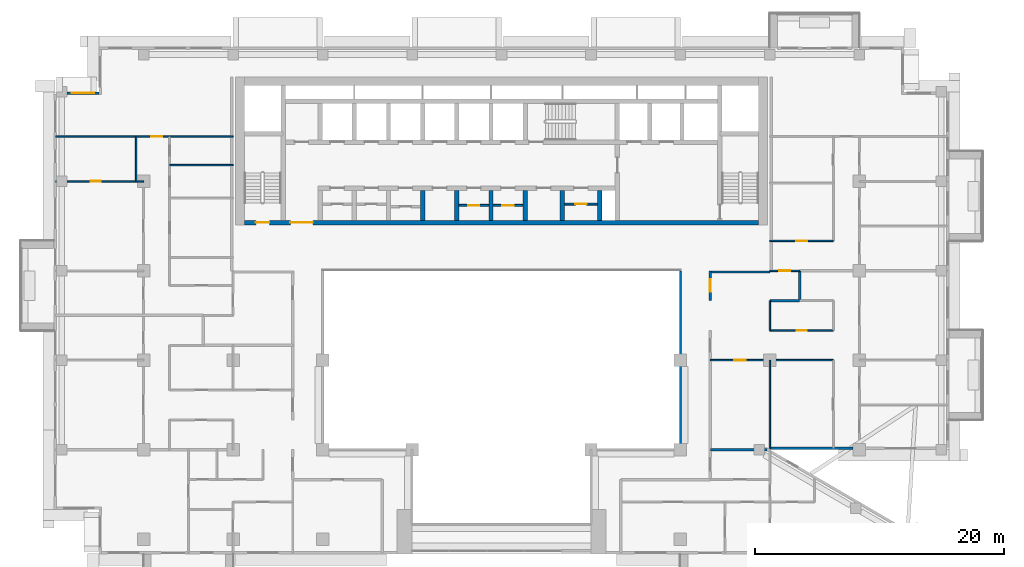
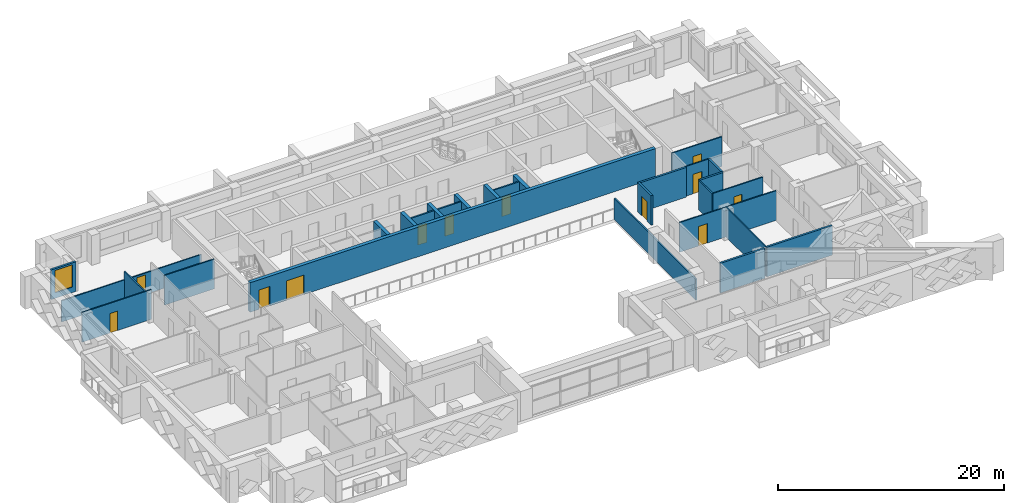
# One storey, part 9 of 19: 28 walls, 12 doors, 1 window, 13 openings.
"""IFC4 building model written with IfcOpenShell, lengths in metres."""

from ifc_helpers import new_model, si_unit, direction, frame, frame_2d, origin, place, context, subcontext, project, spatial, rectangle, extrude, material, layer, layer_set, type_object, element, fill, save


model = new_model("IFC4")

# Units and contexts
model_context = context("Model", 3, precision=1e-05, world=origin(), true_north=direction((0.0, 1.0)))
body_context = subcontext(model_context, "Body", "Model", "MODEL_VIEW")
ifc_project = project(units=[si_unit("LENGTHUNIT", "METRE"), si_unit("AREAUNIT", "SQUARE_METRE"), si_unit("VOLUMEUNIT", "CUBIC_METRE"), si_unit("PLANEANGLEUNIT", "RADIAN"), si_unit("MASSUNIT", "GRAM", prefix="KILO")], contexts=[model_context])

# Site, building, storey
site_placement = place(None, origin())
site = spatial("IfcSite", under=ifc_project, at=site_placement, CompositionType="ELEMENT")
building_placement = place(site_placement, origin())
building = spatial("IfcBuilding", under=site, at=building_placement, Name="Saffron Iwan Residences", CompositionType="ELEMENT")
storey_placement = place(building_placement, frame((0.0, 0.0, 160.5)))
storey = spatial("IfcBuildingStorey", under=building, at=storey_placement, Name="L42", CompositionType="ELEMENT", Elevation=160.5)

# Wall
ifc_material_1 = material(Name="Fire-rated glazing", Category="glass")
ifc_layer_1 = layer(ifc_material_1, 0.14990234375)
ifc_layer_set_1 = layer_set([ifc_layer_1], Name="Fire-rated glazing")
wall_type_1 = type_object("IfcWallType", Name="Atrium glazed screen 150", PredefinedType="SOLIDWALL", material=ifc_layer_set_1)
wall_1_placement = place(storey_placement, frame((64.800048828125, 48.0, 0.0), z_axis=(0.0, 0.0, 1.0), x_axis=(0.0, 1.0, 0.0)))
element("IfcWall", 1, at=wall_1_placement, inside=storey, type_object=wall_type_1, Name="W-L42-SCREEN-v64.8-48", PredefinedType="SOLIDWALL", context=body_context, shape_type="SweptSolid", body=[
    extrude(rectangle(XDim=14.39990234375, YDim=0.14990234375, at=frame_2d((7.199951171875, 0.0))), origin(), (0.0, 0.0, 1.0), 2.300048828125),
])

# Wall, opening, door
ifc_material_2 = material(Name="Fire-rated plasterboard partition")
ifc_layer_2 = layer(ifc_material_2, 0.14990234375)
ifc_layer_set_2 = layer_set([ifc_layer_2], Name="Fire-rated plasterboard partition")
wall_type_2 = type_object("IfcWallType", Name="Core partition 150", PredefinedType="PARTITIONING", material=ifc_layer_set_2)
wall_2_placement = place(storey_placement, frame((46.97509765625, 67.66259765625, 0.0), z_axis=(0.0, 0.0, 1.0), x_axis=(1.0, 0.0, 0.0)))
wall_2 = element("IfcWall", 2, at=wall_2_placement, inside=storey, type_object=wall_type_2, Name="Core partition P04", PredefinedType="PARTITIONING", context=body_context, shape_type="SweptSolid", body=[
    extrude(rectangle(XDim=2.39990234375, YDim=0.14990234375, at=frame_2d((1.199951171875, 0.0))), origin(), (0.0, 0.0, 1.0), 3.199951171875),
])
opening_1_placement = place(wall_2_placement, frame((0.75, 0.0, 0.0)))
opening_1 = element("IfcOpeningElement", 3, at=opening_1_placement, cuts=wall_2, Name="Opening SB", PredefinedType="OPENING", context=body_context, shape_type="SweptSolid", body=[
    extrude(rectangle(XDim=0.89990234375, YDim=2.10009765625, at=frame_2d((0.449951171875, 1.050048828125))), frame((0.0, 0.0849609375, 0.0), z_axis=(0.0, -1.0, 0.0), x_axis=(1.0, 0.0, 0.0)), (0.0, 0.0, 1.0), 0.169921875),
])
ifc_material_3 = material(Name="Steel fire door", Category="steel")
door_type_1 = type_object("IfcDoorType", Name="Store door 900", OperationType="NOTDEFINED", PredefinedType="DOOR", material=ifc_material_3)
door_1_placement = place(opening_1_placement, origin())
door_1 = element("IfcDoor", 4, at=door_1_placement, inside=storey, type_object=door_type_1, Name="Door Spares store", OperationType="SINGLE_SWING_RIGHT", OverallHeight=2.10009765625, OverallWidth=0.89990234375, PredefinedType="DOOR", context=body_context, shape_type="SweptSolid", body=[
    extrude(rectangle(XDim=0.89990234375, YDim=2.10009765625, at=frame_2d((0.449951171875, 1.050048828125))), frame((0.0, 0.02490234375, 0.0), z_axis=(0.0, -1.0, 0.0), x_axis=(1.0, 0.0, 0.0)), (0.0, 0.0, 1.0), 0.050048828125),
])
fill(opening_1, door_1)

wall_3_placement = place(storey_placement, frame((49.72509765625, 67.66259765625, 0.0), z_axis=(0.0, 0.0, 1.0), x_axis=(1.0, 0.0, 0.0)))
wall_3 = element("IfcWall", 5, at=wall_3_placement, inside=storey, type_object=wall_type_2, Name="Core partition P05", PredefinedType="PARTITIONING", context=body_context, shape_type="SweptSolid", body=[
    extrude(rectangle(XDim=2.39990234375, YDim=0.14990234375, at=frame_2d((1.199951171875, 0.0))), origin(), (0.0, 0.0, 1.0), 3.199951171875),
])
opening_2_placement = place(wall_3_placement, frame((0.75, 0.0, 0.0)))
opening_2 = element("IfcOpeningElement", 6, at=opening_2_placement, cuts=wall_3, Name="Opening SB", PredefinedType="OPENING", context=body_context, shape_type="SweptSolid", body=[
    extrude(rectangle(XDim=0.89990234375, YDim=2.10009765625, at=frame_2d((0.449951171875, 1.050048828125))), frame((0.0, 0.0849609375, 0.0), z_axis=(0.0, -1.0, 0.0), x_axis=(1.0, 0.0, 0.0)), (0.0, 0.0, 1.0), 0.169921875),
])
door_2_placement = place(opening_2_placement, origin())
door_2 = element("IfcDoor", 7, at=door_2_placement, inside=storey, type_object=door_type_1, Name="Door Battery room", OperationType="SINGLE_SWING_LEFT", OverallHeight=2.10009765625, OverallWidth=0.89990234375, PredefinedType="DOOR", context=body_context, shape_type="SweptSolid", body=[
    extrude(rectangle(XDim=0.89990234375, YDim=2.10009765625, at=frame_2d((0.449951171875, 1.050048828125))), frame((0.0, 0.02490234375, 0.0), z_axis=(0.0, -1.0, 0.0), x_axis=(1.0, 0.0, 0.0)), (0.0, 0.0, 1.0), 0.050048828125),
])
fill(opening_2, door_2)

wall_4_placement = place(storey_placement, frame((55.47509765625, 67.759521484375, 0.0), z_axis=(0.0, 0.0, 1.0), x_axis=(1.0, 0.0, 0.0)))
wall_4 = element("IfcWall", 8, at=wall_4_placement, inside=storey, type_object=wall_type_2, Name="Core partition P06", PredefinedType="PARTITIONING", context=body_context, shape_type="SweptSolid", body=[
    extrude(rectangle(XDim=2.64990234375, YDim=0.14990234375, at=frame_2d((1.324951171875, 0.0))), origin(), (0.0, 0.0, 1.0), 3.199951171875),
])
opening_3_placement = place(wall_4_placement, frame((0.875, 0.0, 0.0)))
opening_3 = element("IfcOpeningElement", 9, at=opening_3_placement, cuts=wall_4, Name="Opening SB", PredefinedType="OPENING", context=body_context, shape_type="SweptSolid", body=[
    extrude(rectangle(XDim=0.89990234375, YDim=2.10009765625, at=frame_2d((0.449951171875, 1.050048828125))), frame((0.0, 0.0849609375, 0.0), z_axis=(0.0, -1.0, 0.0), x_axis=(1.0, 0.0, 0.0)), (0.0, 0.0, 1.0), 0.169921875),
])
door_3_placement = place(opening_3_placement, origin())
door_3 = element("IfcDoor", 10, at=door_3_placement, inside=storey, type_object=door_type_1, Name="Door Equipment store", OperationType="SINGLE_SWING_LEFT", OverallHeight=2.10009765625, OverallWidth=0.89990234375, PredefinedType="DOOR", context=body_context, shape_type="SweptSolid", body=[
    extrude(rectangle(XDim=0.89990234375, YDim=2.10009765625, at=frame_2d((0.449951171875, 1.050048828125))), frame((0.0, 0.02490234375, 0.0), z_axis=(0.0, -1.0, 0.0), x_axis=(1.0, 0.0, 0.0)), (0.0, 0.0, 1.0), 0.050048828125),
])
fill(opening_3, door_3)

# Wall
ifc_material_4 = material(Name="Concrete C40/50", Category="concrete")
ifc_layer_3 = layer(ifc_material_4, 0.199951171875)
ifc_layer_set_3 = layer_set([ifc_layer_3], Name="Concrete C40/50")
wall_type_3 = type_object("IfcWallType", Name="EXTERNAL WALL 200", PredefinedType="SOLIDWALL", material=ifc_layer_set_3)
wall_5_placement = place(storey_placement, frame((71.989990234375, 48.10009765625, 0.0), z_axis=(0.0, 0.0, 1.0), x_axis=(1.0, 0.0, 0.0)))
element("IfcWall", 11, at=wall_5_placement, inside=storey, type_object=wall_type_3, Name="External wall L42 F1.0", PredefinedType="SOLIDWALL", context=body_context, shape_type="SweptSolid", body=[
    extrude(rectangle(XDim=6.7099609375, YDim=0.199951171875, at=frame_2d((3.35498046875, 0.0))), origin(), (0.0, 0.0, 1.0), 3.199951171875),
])

# Wall, opening, window
wall_6_placement = place(storey_placement, frame((18.0, 76.699951171875, 0.0), z_axis=(0.0, 0.0, 1.0), x_axis=(-1.0, 0.0, 0.0)))
wall_6 = element("IfcWall", 12, at=wall_6_placement, inside=storey, type_object=wall_type_3, Name="External wall L42 F7.0", PredefinedType="SOLIDWALL", context=body_context, shape_type="SweptSolid", body=[
    extrude(rectangle(XDim=2.574951171875, YDim=0.199951171875, at=frame_2d((1.28759765625, 0.0))), origin(), (0.0, 0.0, 1.0), 3.199951171875),
])
opening_4_placement = place(wall_6_placement, frame((0.387451171875, 0.0, 0.60009765625)))
opening_4 = element("IfcOpeningElement", 13, at=opening_4_placement, cuts=wall_6, Name="Opening W8", PredefinedType="OPENING", context=body_context, shape_type="SweptSolid", body=[
    extrude(rectangle(XDim=1.800048828125, YDim=2.39990234375, at=frame_2d((0.89990234375, 1.199951171875))), frame((0.0, 0.10986328125, 0.0), z_axis=(0.0, -1.0, 0.0), x_axis=(1.0, 0.0, 0.0)), (0.0, 0.0, 1.0), 0.219970703125),
])
ifc_material_5 = material(Name="Clear glass, laminated double glazed", Category="glass")
window_type = type_object("IfcWindowType", Name="WINDOW 1800 x 2400", PartitioningType="DOUBLE_PANEL_VERTICAL", PredefinedType="WINDOW", material=ifc_material_5)
window_placement = place(opening_4_placement, origin())
window = element("IfcWindow", 14, at=window_placement, inside=storey, type_object=window_type, Name="Window L42 F7.0", OverallHeight=2.39990234375, OverallWidth=1.800048828125, PartitioningType="DOUBLE_PANEL_VERTICAL", PredefinedType="WINDOW", context=body_context, shape_type="SweptSolid", body=[
    extrude(rectangle(XDim=1.800048828125, YDim=2.39990234375, at=frame_2d((0.89990234375, 1.199951171875))), frame((0.0, 0.030029296875, 0.0), z_axis=(0.0, -1.0, 0.0), x_axis=(1.0, 0.0, 0.0)), (0.0, 0.0, 1.0), 0.06005859375),
])
fill(opening_4, window)

# Walls
ifc_material_6 = material(Name="Fire-rated gypsum board wall")
ifc_layer_4 = layer(ifc_material_6, 0.199951171875)
ifc_layer_set_4 = layer_set([ifc_layer_4], Name="Fire-rated gypsum board wall")
wall_type_4 = type_object("IfcWallType", Name="Flat demising wall 200", PredefinedType="SOLIDWALL", material=ifc_layer_set_4)
wall_7_placement = place(storey_placement, frame((67.199951171875, 48.0, 0.0), z_axis=(0.0, 0.0, 1.0), x_axis=(1.0, 0.0, 0.0)))
element("IfcWall", 15, at=wall_7_placement, inside=storey, type_object=wall_type_4, Name="W-L42-DEMISE-h48-67.2", PredefinedType="SOLIDWALL", context=body_context, shape_type="SweptSolid", body=[
    extrude(rectangle(XDim=4.552001953125, YDim=0.199951171875, at=frame_2d((2.27587890625, 0.0))), origin(), (0.0, 0.0, 1.0), 3.199951171875),
])
for number, where, z_axis, x_axis, name in (
    (16, (72.0, 60.0, 0.0), (0.0, 0.0, 1.0), (1.0, 0.0, 0.0), "W-L42-DEMISE-h60-72"),
    (17, (74.39990234375, 60.0, 0.0), (0.0, 0.0, 1.0), (0.0, 1.0, 0.0), "W-L42-DEMISE-v74.4-60"),
):
    element("IfcWall", number, at=place(storey_placement, frame(where, z_axis=z_axis, x_axis=x_axis)), inside=storey, type_object=wall_type_4, Name=name, PredefinedType="SOLIDWALL", context=body_context, shape_type="SweptSolid", body=[
        extrude(rectangle(XDim=2.39990234375, YDim=0.199951171875, at=frame_2d((1.199951171875, 0.0))), origin(), (0.0, 0.0, 1.0), 3.199951171875),
    ])

# Wall, opening, door
ifc_material_7 = material(Name="Gypsum board partition")
ifc_layer_5 = layer(ifc_material_7, 0.1201171875)
ifc_layer_set_5 = layer_set([ifc_layer_5], Name="Gypsum board partition")
wall_type_5 = type_object("IfcWallType", Name="Flat partition 120", PredefinedType="PARTITIONING", material=ifc_layer_set_5)
wall_8_placement = place(storey_placement, frame((67.199951171875, 55.199951171875, 0.0), z_axis=(0.0, 0.0, 1.0), x_axis=(1.0, 0.0, 0.0)))
wall_8 = element("IfcWall", 18, at=wall_8_placement, inside=storey, type_object=wall_type_5, Name="W-L42-PART-h55.2-67.2", PredefinedType="PARTITIONING", context=body_context, shape_type="SweptSolid", body=[
    extrude(rectangle(XDim=9.900146484375, YDim=0.1201171875, at=frame_2d((4.9501953125, 0.0))), origin(), (0.0, 0.0, 1.0), 3.199951171875),
])
opening_5_placement = place(wall_8_placement, frame((1.949951171875, 0.0, 0.0)))
opening_5 = element("IfcOpeningElement", 19, at=opening_5_placement, cuts=wall_8, Name="Opening FD2", PredefinedType="OPENING", context=body_context, shape_type="SweptSolid", body=[
    extrude(rectangle(XDim=0.89990234375, YDim=2.10009765625, at=frame_2d((0.449951171875, 1.050048828125))), frame((0.0, 0.070068359375, 0.0), z_axis=(0.0, -1.0, 0.0), x_axis=(1.0, 0.0, 0.0)), (0.0, 0.0, 1.0), 0.14013671875),
])
ifc_material_8 = material(Name="Timber door", Category="wood")
door_type_2 = type_object("IfcDoorType", Name="Flat door 900", OperationType="NOTDEFINED", PredefinedType="DOOR", material=ifc_material_8)
door_4_placement = place(opening_5_placement, origin())
door_4 = element("IfcDoor", 20, at=door_4_placement, inside=storey, type_object=door_type_2, Name="Door L42-020", OperationType="SINGLE_SWING_LEFT", OverallHeight=2.10009765625, OverallWidth=0.89990234375, PredefinedType="DOOR", context=body_context, shape_type="SweptSolid", body=[
    extrude(rectangle(XDim=0.89990234375, YDim=2.10009765625, at=frame_2d((0.449951171875, 1.050048828125))), frame((0.0, 0.02490234375, 0.0), z_axis=(0.0, -1.0, 0.0), x_axis=(1.0, 0.0, 0.0)), (0.0, 0.0, 1.0), 0.050048828125),
])
fill(opening_5, door_4)

wall_9_placement = place(storey_placement, frame((72.0, 57.60009765625, 0.0), z_axis=(0.0, 0.0, 1.0), x_axis=(1.0, 0.0, 0.0)))
wall_9 = element("IfcWall", 21, at=wall_9_placement, inside=storey, type_object=wall_type_5, Name="W-L42-PART-h57.6-72", PredefinedType="PARTITIONING", context=body_context, shape_type="SweptSolid", body=[
    extrude(rectangle(XDim=5.10009765625, YDim=0.1201171875, at=frame_2d((2.550048828125, 0.0))), origin(), (0.0, 0.0, 1.0), 3.199951171875),
])
opening_6_placement = place(wall_9_placement, frame((2.14990234375, 0.0, 0.0)))
opening_6 = element("IfcOpeningElement", 22, at=opening_6_placement, cuts=wall_9, Name="Opening FD3", PredefinedType="OPENING", context=body_context, shape_type="SweptSolid", body=[
    extrude(rectangle(XDim=0.800048828125, YDim=2.10009765625, at=frame_2d((0.39990234375, 1.050048828125))), frame((0.0, 0.070068359375, 0.0), z_axis=(0.0, -1.0, 0.0), x_axis=(1.0, 0.0, 0.0)), (0.0, 0.0, 1.0), 0.14013671875),
])
door_type_3 = type_object("IfcDoorType", Name="Bathroom door 800", OperationType="NOTDEFINED", PredefinedType="DOOR", material=ifc_material_8)
door_5_placement = place(opening_6_placement, origin())
door_5 = element("IfcDoor", 23, at=door_5_placement, inside=storey, type_object=door_type_3, Name="Door L42-019", OperationType="SINGLE_SWING_RIGHT", OverallHeight=2.10009765625, OverallWidth=0.800048828125, PredefinedType="DOOR", context=body_context, shape_type="SweptSolid", body=[
    extrude(rectangle(XDim=0.800048828125, YDim=2.10009765625, at=frame_2d((0.39990234375, 1.050048828125))), frame((0.0, 0.02490234375, 0.0), z_axis=(0.0, -1.0, 0.0), x_axis=(1.0, 0.0, 0.0)), (0.0, 0.0, 1.0), 0.050048828125),
])
fill(opening_6, door_5)

wall_10_placement = place(storey_placement, frame((72.0, 62.39990234375, 0.0), z_axis=(0.0, 0.0, 1.0), x_axis=(1.0, 0.0, 0.0)))
wall_10 = element("IfcWall", 24, at=wall_10_placement, inside=storey, type_object=wall_type_5, Name="W-L42-PART-h62.4-72", PredefinedType="PARTITIONING", context=body_context, shape_type="SweptSolid", body=[
    extrude(rectangle(XDim=2.39990234375, YDim=0.1201171875, at=frame_2d((1.199951171875, 0.0))), origin(), (0.0, 0.0, 1.0), 3.199951171875),
])
opening_7_placement = place(wall_10_placement, frame((0.75, 0.0, 0.0)))
opening_7 = element("IfcOpeningElement", 25, at=opening_7_placement, cuts=wall_10, Name="Opening FD2", PredefinedType="OPENING", context=body_context, shape_type="SweptSolid", body=[
    extrude(rectangle(XDim=0.89990234375, YDim=2.10009765625, at=frame_2d((0.449951171875, 1.050048828125))), frame((0.0, 0.070068359375, 0.0), z_axis=(0.0, -1.0, 0.0), x_axis=(1.0, 0.0, 0.0)), (0.0, 0.0, 1.0), 0.14013671875),
])
door_6_placement = place(opening_7_placement, origin())
door_6 = element("IfcDoor", 26, at=door_6_placement, inside=storey, type_object=door_type_2, Name="Door L42-031", OperationType="SINGLE_SWING_RIGHT", OverallHeight=2.10009765625, OverallWidth=0.89990234375, PredefinedType="DOOR", context=body_context, shape_type="SweptSolid", body=[
    extrude(rectangle(XDim=0.89990234375, YDim=2.10009765625, at=frame_2d((0.449951171875, 1.050048828125))), frame((0.0, 0.02490234375, 0.0), z_axis=(0.0, -1.0, 0.0), x_axis=(1.0, 0.0, 0.0)), (0.0, 0.0, 1.0), 0.050048828125),
])
fill(opening_7, door_6)

wall_11_placement = place(storey_placement, frame((72.0, 64.800048828125, 0.0), z_axis=(0.0, 0.0, 1.0), x_axis=(1.0, 0.0, 0.0)))
wall_11 = element("IfcWall", 27, at=wall_11_placement, inside=storey, type_object=wall_type_5, Name="W-L42-PART-h64.8-72", PredefinedType="PARTITIONING", context=body_context, shape_type="SweptSolid", body=[
    extrude(rectangle(XDim=5.10009765625, YDim=0.1201171875, at=frame_2d((2.550048828125, 0.0))), origin(), (0.0, 0.0, 1.0), 3.199951171875),
])
opening_8_placement = place(wall_11_placement, frame((2.10009765625, 0.0, 0.0)))
opening_8 = element("IfcOpeningElement", 28, at=opening_8_placement, cuts=wall_11, Name="Opening FD2", PredefinedType="OPENING", context=body_context, shape_type="SweptSolid", body=[
    extrude(rectangle(XDim=0.89990234375, YDim=2.10009765625, at=frame_2d((0.449951171875, 1.050048828125))), frame((0.0, 0.070068359375, 0.0), z_axis=(0.0, -1.0, 0.0), x_axis=(1.0, 0.0, 0.0)), (0.0, 0.0, 1.0), 0.14013671875),
])
door_7_placement = place(opening_8_placement, origin())
door_7 = element("IfcDoor", 29, at=door_7_placement, inside=storey, type_object=door_type_2, Name="Door L42-037", OperationType="SINGLE_SWING_RIGHT", OverallHeight=2.10009765625, OverallWidth=0.89990234375, PredefinedType="DOOR", context=body_context, shape_type="SweptSolid", body=[
    extrude(rectangle(XDim=0.89990234375, YDim=2.10009765625, at=frame_2d((0.449951171875, 1.050048828125))), frame((0.0, 0.02490234375, 0.0), z_axis=(0.0, -1.0, 0.0), x_axis=(1.0, 0.0, 0.0)), (0.0, 0.0, 1.0), 0.050048828125),
])
fill(opening_8, door_7)

wall_12_placement = place(storey_placement, frame((14.52490234375, 69.60009765625, 0.0), z_axis=(0.0, 0.0, 1.0), x_axis=(1.0, 0.0, 0.0)))
wall_12 = element("IfcWall", 30, at=wall_12_placement, inside=storey, type_object=wall_type_5, Name="W-L42-PART-h69.6-14.525", PredefinedType="PARTITIONING", context=body_context, shape_type="SweptSolid", body=[
    extrude(rectangle(XDim=7.0751953125, YDim=0.1201171875, at=frame_2d((3.53759765625, 0.0))), origin(), (0.0, 0.0, 1.0), 3.199951171875),
])
opening_9_placement = place(wall_12_placement, frame((2.83740234375, 0.0, 0.0)))
opening_9 = element("IfcOpeningElement", 31, at=opening_9_placement, cuts=wall_12, Name="Opening FD3", PredefinedType="OPENING", context=body_context, shape_type="SweptSolid", body=[
    extrude(rectangle(XDim=0.800048828125, YDim=2.10009765625, at=frame_2d((0.39990234375, 1.050048828125))), frame((0.0, 0.070068359375, 0.0), z_axis=(0.0, -1.0, 0.0), x_axis=(1.0, 0.0, 0.0)), (0.0, 0.0, 1.0), 0.14013671875),
])
door_8_placement = place(opening_9_placement, origin())
door_8 = element("IfcDoor", 32, at=door_8_placement, inside=storey, type_object=door_type_3, Name="Door L42-025", OperationType="SINGLE_SWING_RIGHT", OverallHeight=2.10009765625, OverallWidth=0.800048828125, PredefinedType="DOOR", context=body_context, shape_type="SweptSolid", body=[
    extrude(rectangle(XDim=0.800048828125, YDim=2.10009765625, at=frame_2d((0.39990234375, 1.050048828125))), frame((0.0, 0.02490234375, 0.0), z_axis=(0.0, -1.0, 0.0), x_axis=(1.0, 0.0, 0.0)), (0.0, 0.0, 1.0), 0.050048828125),
])
fill(opening_9, door_8)

# Wall
wall_13_placement = place(storey_placement, frame((23.699951171875, 70.89990234375, 0.0), z_axis=(0.0, 0.0, 1.0), x_axis=(1.0, 0.0, 0.0)))
element("IfcWall", 33, at=wall_13_placement, inside=storey, type_object=wall_type_5, Name="W-L42-PART-h70.9-23.7", PredefinedType="PARTITIONING", context=body_context, shape_type="SweptSolid", body=[
    extrude(rectangle(XDim=5.10009765625, YDim=0.1201171875, at=frame_2d((2.550048828125, 0.0))), origin(), (0.0, 0.0, 1.0), 3.199951171875),
])

# Wall, opening, door
wall_14_placement = place(storey_placement, frame((14.52490234375, 73.199951171875, 0.0), z_axis=(0.0, 0.0, 1.0), x_axis=(1.0, 0.0, 0.0)))
wall_14 = element("IfcWall", 34, at=wall_14_placement, inside=storey, type_object=wall_type_5, Name="W-L42-PART-h73.2-14.525", PredefinedType="PARTITIONING", context=body_context, shape_type="SweptSolid", body=[
    extrude(rectangle(XDim=14.275146484375, YDim=0.1201171875, at=frame_2d((7.1376953125, 0.0))), origin(), (0.0, 0.0, 1.0), 2.300048828125),
])
opening_10_placement = place(wall_14_placement, frame((7.675048828125, 0.0, 0.0)))
opening_10 = element("IfcOpeningElement", 35, at=opening_10_placement, cuts=wall_14, Name="Opening FD2", PredefinedType="OPENING", context=body_context, shape_type="SweptSolid", body=[
    extrude(rectangle(XDim=0.89990234375, YDim=2.10009765625, at=frame_2d((0.449951171875, 1.050048828125))), frame((0.0, 0.070068359375, 0.0), z_axis=(0.0, -1.0, 0.0), x_axis=(1.0, 0.0, 0.0)), (0.0, 0.0, 1.0), 0.14013671875),
])
door_9_placement = place(opening_10_placement, origin())
door_9 = element("IfcDoor", 36, at=door_9_placement, inside=storey, type_object=door_type_2, Name="Door L42-026", OperationType="SINGLE_SWING_LEFT", OverallHeight=2.10009765625, OverallWidth=0.89990234375, PredefinedType="DOOR", context=body_context, shape_type="SweptSolid", body=[
    extrude(rectangle(XDim=0.89990234375, YDim=2.10009765625, at=frame_2d((0.449951171875, 1.050048828125))), frame((0.0, 0.02490234375, 0.0), z_axis=(0.0, -1.0, 0.0), x_axis=(1.0, 0.0, 0.0)), (0.0, 0.0, 1.0), 0.050048828125),
])
fill(opening_10, door_9)

# Walls
wall_15_placement = place(storey_placement, frame((21.0, 69.60009765625, 0.0), z_axis=(0.0, 0.0, 1.0), x_axis=(0.0, 1.0, 0.0)))
element("IfcWall", 37, at=wall_15_placement, inside=storey, type_object=wall_type_5, Name="W-L42-PART-v21-69.6", PredefinedType="PARTITIONING", context=body_context, shape_type="SweptSolid", body=[
    extrude(rectangle(XDim=3.599853515625, YDim=0.1201171875, at=frame_2d((1.7998046875, 0.0))), origin(), (0.0, 0.0, 1.0), 3.199951171875),
])
wall_16_placement = place(storey_placement, frame((72.0, 48.125, 0.0), z_axis=(0.0, 0.0, 1.0), x_axis=(0.0, 1.0, 0.0)))
element("IfcWall", 38, at=wall_16_placement, inside=storey, type_object=wall_type_5, Name="W-L42-PART-v72-48.125", PredefinedType="PARTITIONING", context=body_context, shape_type="SweptSolid", body=[
    extrude(rectangle(XDim=7.074951171875, YDim=0.1201171875, at=frame_2d((3.53759765625, 0.0))), origin(), (0.0, 0.0, 1.0), 3.199951171875),
])
wall_17_placement = place(storey_placement, frame((72.0, 57.60009765625, 0.0), z_axis=(0.0, 0.0, 1.0), x_axis=(0.0, 1.0, 0.0)))
element("IfcWall", 39, at=wall_17_placement, inside=storey, type_object=wall_type_5, Name="W-L42-PART-v72-57.6", PredefinedType="PARTITIONING", context=body_context, shape_type="SweptSolid", body=[
    extrude(rectangle(XDim=2.39990234375, YDim=0.1201171875, at=frame_2d((1.199951171875, 0.0))), origin(), (0.0, 0.0, 1.0), 3.199951171875),
])
ifc_layer_6 = layer(ifc_material_6, 0.199951171875)
ifc_layer_set_6 = layer_set([ifc_layer_6], Name="Fire-rated gypsum board wall")
wall_type_6 = type_object("IfcWallType", Name="Gallery wall 200", PredefinedType="SOLIDWALL", material=ifc_layer_set_6)
wall_18_placement = place(storey_placement, frame((67.199951171875, 62.300048828125, 0.0), z_axis=(0.0, 0.0, 1.0), x_axis=(1.0, 0.0, 0.0)))
element("IfcWall", 40, at=wall_18_placement, inside=storey, type_object=wall_type_6, Name="W-L42-CORR-h62.4-67.2", PredefinedType="SOLIDWALL", context=body_context, shape_type="SweptSolid", body=[
    extrude(rectangle(XDim=4.800048828125, YDim=0.199951171875, at=frame_2d((2.39990234375, 0.0))), origin(), (0.0, 0.0, 1.0), 3.199951171875),
])

# Wall, opening, door
wall_19_placement = place(storey_placement, frame((67.199951171875, 60.0, 0.0), z_axis=(0.0, 0.0, 1.0), x_axis=(0.0, 1.0, 0.0)))
wall_19 = element("IfcWall", 41, at=wall_19_placement, inside=storey, type_object=wall_type_6, Name="W-L42-CORR-v67.2-60", PredefinedType="SOLIDWALL", context=body_context, shape_type="SweptSolid", body=[
    extrude(rectangle(XDim=2.39990234375, YDim=0.199951171875, at=frame_2d((1.199951171875, 0.0))), origin(), (0.0, 0.0, 1.0), 3.199951171875),
])
opening_11_placement = place(wall_19_placement, frame((0.699951171875, 0.0, 0.0)))
opening_11 = element("IfcOpeningElement", 42, at=opening_11_placement, cuts=wall_19, Name="Opening FD5", PredefinedType="OPENING", context=body_context, shape_type="SweptSolid", body=[
    extrude(rectangle(XDim=1.0, YDim=2.10009765625, at=frame_2d((0.5, 1.050048828125))), frame((0.0, 0.10986328125, 0.0), z_axis=(0.0, -1.0, 0.0), x_axis=(1.0, 0.0, 0.0)), (0.0, 0.0, 1.0), 0.219970703125),
])
ifc_material_9 = material(Name="Fire-rated timber door", Category="wood")
door_type_4 = type_object("IfcDoorType", Name="Lobby door 1000", OperationType="NOTDEFINED", PredefinedType="DOOR", material=ifc_material_9)
door_10_placement = place(opening_11_placement, origin())
door_10 = element("IfcDoor", 43, at=door_10_placement, inside=storey, type_object=door_type_4, Name="Door L42-032", OperationType="SINGLE_SWING_LEFT", OverallHeight=2.10009765625, OverallWidth=1.0, PredefinedType="DOOR", context=body_context, shape_type="SweptSolid", body=[
    extrude(rectangle(XDim=1.0, YDim=2.10009765625, at=frame_2d((0.5, 1.050048828125))), frame((0.0, 0.02490234375, 0.0), z_axis=(0.0, -1.0, 0.0), x_axis=(1.0, 0.0, 0.0)), (0.0, 0.0, 1.0), 0.050048828125),
])
fill(opening_11, door_10)

# Wall, openings, doors
ifc_material_10 = material(Name="Concrete C50/60", Category="concrete")
ifc_layer_7 = layer(ifc_material_10, 0.35009765625)
ifc_layer_set_7 = layer_set([ifc_layer_7], Name="Concrete C50/60")
wall_type_7 = type_object("IfcWallType", Name="WALL CORE 350 C50/60 3200 HIGH", PredefinedType="SHEAR", material=ifc_layer_set_7)
wall_20_placement = place(storey_placement, frame((29.699951171875, 66.27490234375, 0.0), z_axis=(0.0, 0.0, 1.0), x_axis=(1.0, 0.0, 0.0)))
wall_20 = element("IfcWall", 44, at=wall_20_placement, inside=storey, type_object=wall_type_7, Name="Core wall", PredefinedType="SHEAR", context=body_context, shape_type="SweptSolid", body=[
    extrude(rectangle(XDim=41.400146484375, YDim=0.35009765625, at=frame_2d((20.7001953125, 0.0))), origin(), (0.0, 0.0, 1.0), 3.199951171875),
])
opening_12_placement = place(wall_20_placement, frame((0.925048828125, 0.0, 0.0)))
opening_12 = element("IfcOpeningElement", 45, at=opening_12_placement, cuts=wall_20, Name="Opening SD", PredefinedType="OPENING", context=body_context, shape_type="SweptSolid", body=[
    extrude(rectangle(XDim=1.10009765625, YDim=2.10009765625, at=frame_2d((0.550048828125, 1.050048828125))), frame((0.0, 0.18505859375, 0.0), z_axis=(0.0, -1.0, 0.0), x_axis=(1.0, 0.0, 0.0)), (0.0, 0.0, 1.0), 0.3701171875),
])
opening_13_placement = place(wall_20_placement, frame((3.71240234375, 0.0, 0.0)))
opening_13 = element("IfcOpeningElement", 46, at=opening_13_placement, cuts=wall_20, Name="Opening DD", PredefinedType="OPENING", context=body_context, shape_type="SweptSolid", body=[
    extrude(rectangle(XDim=1.800048828125, YDim=2.10009765625, at=frame_2d((0.89990234375, 1.050048828125))), frame((0.0, 0.18505859375, 0.0), z_axis=(0.0, -1.0, 0.0), x_axis=(1.0, 0.0, 0.0)), (0.0, 0.0, 1.0), 0.3701171875),
])
door_type_5 = type_object("IfcDoorType", Name="Lobby double door 1800", OperationType="DOUBLE_DOOR_SINGLE_SWING", PredefinedType="DOOR", material=ifc_material_3)
door_11_placement = place(opening_13_placement, origin())
door_11 = element("IfcDoor", 47, at=door_11_placement, inside=storey, type_object=door_type_5, Name="Lobby doors", OperationType="DOUBLE_DOOR_SINGLE_SWING", OverallHeight=2.10009765625, OverallWidth=1.800048828125, PredefinedType="DOOR", context=body_context, shape_type="SweptSolid", body=[
    extrude(rectangle(XDim=1.800048828125, YDim=2.10009765625, at=frame_2d((0.89990234375, 1.050048828125))), frame((0.0, 0.02490234375, 0.0), z_axis=(0.0, -1.0, 0.0), x_axis=(1.0, 0.0, 0.0)), (0.0, 0.0, 1.0), 0.050048828125),
])
fill(opening_13, door_11)
door_type_6 = type_object("IfcDoorType", Name="Stair door 1100", OperationType="NOTDEFINED", PredefinedType="DOOR", material=ifc_material_3)
door_12_placement = place(opening_12_placement, origin())
door_12 = element("IfcDoor", 48, at=door_12_placement, inside=storey, type_object=door_type_6, Name="Stair door ST-W", OperationType="SINGLE_SWING_LEFT", OverallHeight=2.10009765625, OverallWidth=1.10009765625, PredefinedType="DOOR", context=body_context, shape_type="SweptSolid", body=[
    extrude(rectangle(XDim=1.10009765625, YDim=2.10009765625, at=frame_2d((0.550048828125, 1.050048828125))), frame((0.0, 0.02490234375, 0.0), z_axis=(0.0, -1.0, 0.0), x_axis=(1.0, 0.0, 0.0)), (0.0, 0.0, 1.0), 0.050048828125),
])
fill(opening_12, door_12)

# Walls
for number, where, z_axis, x_axis, name in (
    (49, (44.050048828125, 66.449951171875, 0.0), (0.0, 0.0, 1.0), (0.0, 1.0, 0.0), "Core wall"),
    (50, (46.800048828125, 66.449951171875, 0.0), (0.0, 0.0, 1.0), (0.0, 1.0, 0.0), "Core wall"),
    (51, (49.550048828125, 66.449951171875, 0.0), (0.0, 0.0, 1.0), (0.0, 1.0, 0.0), "Core wall"),
    (52, (52.300048828125, 66.449951171875, 0.0), (0.0, 0.0, 1.0), (0.0, 1.0, 0.0), "Core wall"),
    (53, (55.300048828125, 66.449951171875, 0.0), (0.0, 0.0, 1.0), (0.0, 1.0, 0.0), "Core wall"),
    (54, (58.300048828125, 66.449951171875, 0.0), (0.0, 0.0, 1.0), (0.0, 1.0, 0.0), "Core wall"),
):
    element("IfcWall", number, at=place(storey_placement, frame(where, z_axis=z_axis, x_axis=x_axis)), inside=storey, type_object=wall_type_7, Name=name, PredefinedType="SHEAR", context=body_context, shape_type="SweptSolid", body=[
        extrude(rectangle(XDim=2.425048828125, YDim=0.35009765625, at=frame_2d((1.21240234375, 0.0))), origin(), (0.0, 0.0, 1.0), 3.199951171875),
    ])

save(model, "model.ifc")
